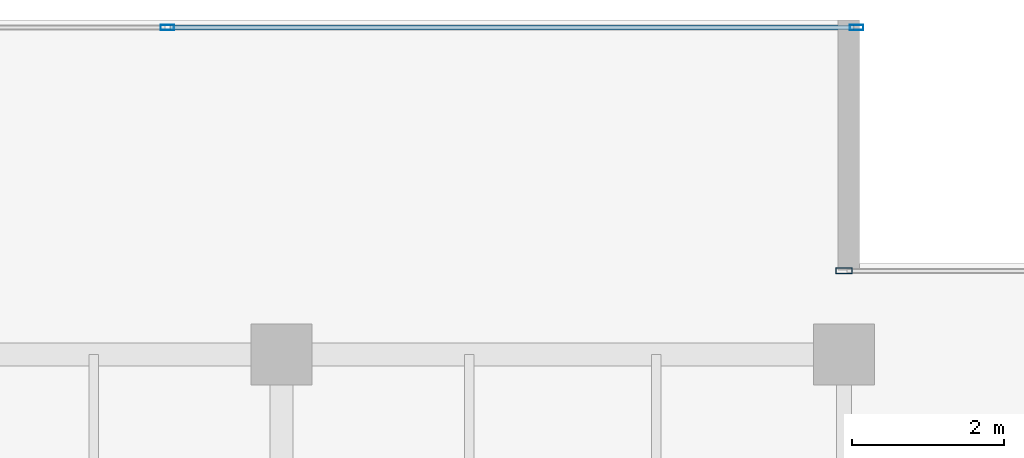
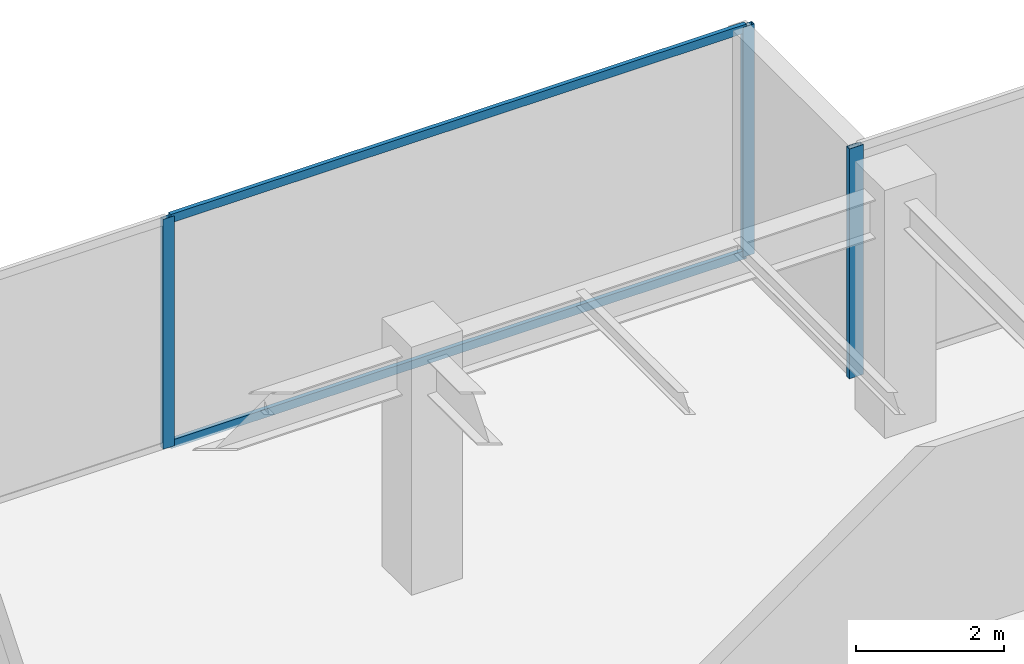
# One storey, part 21 of 33: 5 members, 2 elements without a shape of their own.
"""IFC4 building model written with IfcOpenShell, lengths in metres."""

import ifcopenshell
import ifcopenshell.guid

model = None  # the IFC model being written
_history = None  # IfcOwnerHistory: only IFC2X3 demands one
_inside = {}  # id of a spatial element -> (the spatial element, [elements in it])
_under = {}  # id of a project, library or spatial element -> (it, [spatial elements below it])
_declared = {}  # id of a project -> (the project, [libraries it declares])
_typed = {}  # id of a type object -> (the type object, [elements of that type])
_made_of = {}  # id of a material, layer set ... -> (it, [elements and type objects made of it])


def new_model(schema):
    """Start an empty IFC model of exactly this schema.

    Asked for "IFC4X3", IfcOpenShell would pick the latest addendum, in which some entities
    have other attributes; the version numbers below select the first issue.
    IFC2X3 requires an IfcOwnerHistory on every rooted entity: one is made here for all.
    """
    global model, _history
    if schema == "IFC4X3":
        model = ifcopenshell.file(schema_version=(4, 3, 0, 0))
    else:
        model = ifcopenshell.file(schema=schema)
    _inside.clear()
    _under.clear()
    _declared.clear()
    _typed.clear()
    _made_of.clear()
    _history = None
    if model.schema == "IFC2X3":
        org = make("IfcOrganization", Name="unknown")
        user = make(
            "IfcPersonAndOrganization",
            ThePerson=make("IfcPerson", FamilyName="unknown"),
            TheOrganization=org,
        )
        app = make(
            "IfcApplication",
            ApplicationDeveloper=org,
            Version="unknown",
            ApplicationFullName="unknown",
            ApplicationIdentifier="unknown",
        )
        _history = make(
            "IfcOwnerHistory",
            OwningUser=user,
            OwningApplication=app,
            ChangeAction="ADDED",
            CreationDate=0,
        )
    return model


def make(cls, **values):
    """One entity of the class cls with the attributes given. An attribute that is None is left unset."""
    return model.create_entity(
        cls, **{name: value for name, value in values.items() if value is not None}
    )


def rooted(cls, **values):
    """An entity with a GlobalId (a new one), such as an element, a storey or a relation."""
    return make(cls, GlobalId=ifcopenshell.guid.new(), OwnerHistory=_history, **values)


def si_unit(unit_type, name, prefix=None):
    """IfcSIUnit, for example si_unit("LENGTHUNIT", "METRE", prefix="MILLI")."""
    return make("IfcSIUnit", UnitType=unit_type, Prefix=prefix, Name=name)


def assignment(units):
    """IfcUnitAssignment: the units of a project."""
    return None if units is None else make("IfcUnitAssignment", Units=units)


def point(xyz):
    """IfcCartesianPoint."""
    return None if xyz is None else make("IfcCartesianPoint", Coordinates=xyz)


def direction(xyz):
    """IfcDirection."""
    return None if xyz is None else make("IfcDirection", DirectionRatios=xyz)


def frame(location, z_axis=None, x_axis=None):
    """IfcAxis2Placement3D, a coordinate frame: its origin and axes. An axis left out is left unset."""
    return make(
        "IfcAxis2Placement3D",
        Location=point(location),
        Axis=direction(z_axis),
        RefDirection=direction(x_axis),
    )


def frame_2d(location, x_axis=None):
    """IfcAxis2Placement2D, a coordinate frame in the plane: its origin and x axis."""
    return make(
        "IfcAxis2Placement2D", Location=point(location), RefDirection=direction(x_axis)
    )


def origin():
    """The frame at (0, 0, 0) with its axes left unset."""
    return frame((0.0, 0.0, 0.0))


def origin_2d():
    """The frame at (0, 0) in the plane with its x axis left unset."""
    return frame_2d((0.0, 0.0))


def place(relative_to, where):
    """IfcLocalPlacement: puts the frame where relative to a parent placement (None: the world)."""
    return make(
        "IfcLocalPlacement", PlacementRelTo=relative_to, RelativePlacement=where
    )


def context(
    kind, dimensions, precision=None, world=None, true_north=None, identifier=None
):
    """IfcGeometricRepresentationContext, for example the 3D "Model" context."""
    return make(
        "IfcGeometricRepresentationContext",
        ContextIdentifier=identifier,
        ContextType=kind,
        CoordinateSpaceDimension=dimensions,
        Precision=precision,
        WorldCoordinateSystem=world,
        TrueNorth=true_north,
    )


def subcontext(parent, identifier, kind, view, scale=None):
    """IfcGeometricRepresentationSubContext, for example "Body" below "Model"."""
    return make(
        "IfcGeometricRepresentationSubContext",
        ContextIdentifier=identifier,
        ContextType=kind,
        ParentContext=parent,
        TargetScale=scale,
        TargetView=view,
    )


def project(units=None, contexts=None):
    """IfcProject with its units and contexts."""
    return rooted(
        "IfcProject",
        Name="project",
        RepresentationContexts=contexts,
        UnitsInContext=assignment(units),
    )


def spatial(cls, under=None, at=None, **own):
    """A site, building, storey or space (cls), placed at a placement, below another one or the project."""
    s = rooted(cls, ObjectPlacement=at, **own)
    if under is not None:
        _under.setdefault(under.id(), (under, []))[1].append(s)
    return s


def profile(cls, at=None, kind="AREA", **sizes):
    """A parametric profile (cls). Its sizes go by their IFC names, for example OverallWidth=200.0."""
    return make(cls, ProfileType=kind, Position=at, **sizes)


def hollow_rectangle(**sizes):
    """IfcRectangleHollowProfileDef."""
    return profile("IfcRectangleHollowProfileDef", **sizes)


def extrude(swept, where, along, depth):
    """IfcExtrudedAreaSolid: the profile swept, set in the frame where, extruded along a direction by depth."""
    return make(
        "IfcExtrudedAreaSolid",
        SweptArea=swept,
        Position=where,
        ExtrudedDirection=direction(along),
        Depth=depth,
    )


def shape(context_of_items, identifier, shape_type, items):
    """IfcShapeRepresentation: the items that make up one representation, for example the "Body"."""
    return make(
        "IfcShapeRepresentation",
        ContextOfItems=context_of_items,
        RepresentationIdentifier=identifier,
        RepresentationType=shape_type,
        Items=items,
    )


def source(mapping_origin, context_of_items, identifier, shape_type, items):
    """IfcRepresentationMap: a shape defined once, which mapped items show again and again."""
    return make(
        "IfcRepresentationMap",
        MappingOrigin=mapping_origin,
        MappedRepresentation=shape(context_of_items, identifier, shape_type, items),
    )


def transform(
    local_origin,
    x_axis=None,
    y_axis=None,
    z_axis=None,
    scale=None,
    scale2=None,
    scale3=None,
    uniform=True,
):
    """IfcCartesianTransformationOperator3D, or its non-uniform kind. x_axis, y_axis, z_axis: its Axis1, 2, 3."""
    if uniform:
        return make(
            "IfcCartesianTransformationOperator3D",
            Axis1=direction(x_axis),
            Axis2=direction(y_axis),
            LocalOrigin=point(local_origin),
            Scale=scale,
            Axis3=direction(z_axis),
        )
    return make(
        "IfcCartesianTransformationOperator3DnonUniform",
        Axis1=direction(x_axis),
        Axis2=direction(y_axis),
        LocalOrigin=point(local_origin),
        Scale=scale,
        Axis3=direction(z_axis),
        Scale2=scale2,
        Scale3=scale3,
    )


def mapped(mapping_source, mapping_target):
    """IfcMappedItem: shows the shape of a source again, moved by a transform."""
    return make(
        "IfcMappedItem", MappingSource=mapping_source, MappingTarget=mapping_target
    )


def material(Name=None, Category=None):
    """IfcMaterial."""
    return make("IfcMaterial", Name=Name, Category=Category)


def layer(
    of_material, thickness, ventilated=None, Name=None, Category=None, Priority=None
):
    """IfcMaterialLayer: one layer of a wall or slab, of a material (None: an air gap)."""
    return make(
        "IfcMaterialLayer",
        Material=of_material,
        LayerThickness=thickness,
        IsVentilated=ventilated,
        Name=Name,
        Category=Category,
        Priority=Priority,
    )


def layer_set(layers, Name=None):
    """IfcMaterialLayerSet."""
    return make("IfcMaterialLayerSet", MaterialLayers=layers, LayerSetName=Name)


def material_profile(
    of_material, cross_section, Name=None, Category=None, Priority=None
):
    """IfcMaterialProfile: a cross section and its material."""
    return make(
        "IfcMaterialProfile",
        Name=Name,
        Material=of_material,
        Profile=cross_section,
        Priority=Priority,
        Category=Category,
    )


def profile_set(profiles, Name=None, composite=None):
    """IfcMaterialProfileSet."""
    return make(
        "IfcMaterialProfileSet",
        Name=Name,
        MaterialProfiles=profiles,
        CompositeProfile=composite,
    )


def made_of(thing, what):
    """Note that an element or type object is made of a material, layer set ...; save() writes the relation."""
    if what is not None:
        _made_of.setdefault(what.id(), (what, []))[1].append(thing)
    return thing


def type_object(cls, material=None, **own):
    """A type object (cls), such as IfcWallType, which elements share."""
    return made_of(rooted(cls, **own), material)


def type_shapes(of_type, sources):
    """Give a type object the sources (RepresentationMaps) that its elements show as mapped items."""
    of_type.RepresentationMaps = sources


def element(
    cls,
    number,
    at=None,
    inside=None,
    cuts=None,
    type_object=None,
    material=None,
    context=None,
    identifier="Body",
    shape_type=None,
    held_by="IfcProductDefinitionShape",
    body=None,
    shapes=None,
    **own,
):
    """One element of the class cls, such as IfcWall. Its Tag is "e" and its number.

    at: its placement. inside: the storey or other place that contains it. cuts: it is an
    opening in that element (IfcRelVoidsElement). A single representation is given by context,
    identifier, shape_type and body (its items); several are given by shapes. held_by: the class
    of the entity that holds the representations. save() writes the other relations.
    """
    e = rooted(cls, Tag="e%d" % number, ObjectPlacement=at, **own)
    if body is not None:
        shapes = [shape(context, identifier, shape_type, body)]
    if shapes is not None:
        e.Representation = make(held_by, Representations=shapes)
    if inside is not None:
        _inside.setdefault(inside.id(), (inside, []))[1].append(e)
    if cuts is not None:
        rooted(
            "IfcRelVoidsElement", RelatingBuildingElement=cuts, RelatedOpeningElement=e
        )
    if type_object is not None:
        _typed.setdefault(type_object.id(), (type_object, []))[1].append(e)
    return made_of(e, material)


def aggregate(whole, parts):
    """IfcRelAggregates: a whole, such as a stair, and the parts it consists of."""
    return rooted("IfcRelAggregates", RelatingObject=whole, RelatedObjects=parts)


def save(model, path):
    """Write the relations noted so far, then the file.

    IfcRelAggregates (storeys below a building ...), IfcRelContainedInSpatialStructure (elements
    in a storey), IfcRelDefinesByType, IfcRelAssociatesMaterial and IfcRelDeclares: one each for
    every whole, place, type object, material and project.
    """
    for whole, parts in _under.values():
        aggregate(whole, parts)
    for where, things in _inside.values():
        rooted(
            "IfcRelContainedInSpatialStructure",
            RelatedElements=things,
            RelatingStructure=where,
        )
    for kind, things in _typed.values():
        rooted("IfcRelDefinesByType", RelatedObjects=things, RelatingType=kind)
    for what, things in _made_of.values():
        rooted("IfcRelAssociatesMaterial", RelatedObjects=things, RelatingMaterial=what)
    for by, libraries in _declared.values():
        rooted("IfcRelDeclares", RelatingContext=by, RelatedDefinitions=libraries)
    model.write(path)


model = new_model("IFC4")

# Units and contexts
model_context = context("Model", 3, precision=1e-05, world=origin(), true_north=direction((0.0, 1.0)))
body_context = subcontext(model_context, "Body", "Model", "MODEL_VIEW")
ifc_project = project(units=[si_unit("LENGTHUNIT", "METRE"), si_unit("AREAUNIT", "SQUARE_METRE"), si_unit("VOLUMEUNIT", "CUBIC_METRE"), si_unit("PLANEANGLEUNIT", "RADIAN"), si_unit("MASSUNIT", "GRAM", prefix="KILO")], contexts=[model_context])

# Site, building, storey
site_placement = place(None, origin())
site = spatial("IfcSite", under=ifc_project, at=site_placement, CompositionType="ELEMENT")
building_placement = place(site_placement, origin())
building = spatial("IfcBuilding", under=site, at=building_placement, Name="Haelvirn Gate Laboratories", CompositionType="ELEMENT")
storey_placement = place(building_placement, frame((0.0, 0.0, 258.800048828125)))
storey = spatial("IfcBuildingStorey", under=building, at=storey_placement, Name="L62", CompositionType="ELEMENT", Elevation=258.800048828125)

# Curtain wall, members
ifc_material_1 = material(Name="Anodised bronze unitised aluminium & triple low-E glass", Category="aluminium")
ifc_layer_1 = layer(ifc_material_1, 0.176025390625, Name="CW-SYS-4")
ifc_layer_set_1 = layer_set([ifc_layer_1], Name="Anodised bronze unitised aluminium & triple low-E glass")
curtain_wall_type_1 = type_object("IfcCurtainWallType", Name="CW-SYS-4", PredefinedType="NOTDEFINED", material=ifc_layer_set_1)
curtain_wall_1_placement = place(storey_placement, origin())
curtain_wall_1 = element("IfcCurtainWall", 1, at=curtain_wall_1_placement, inside=storey, type_object=curtain_wall_type_1, Name="L62 Unitised Curtain Wall CW-L62-P0-E10-1", PredefinedType="NOTDEFINED")
ifc_material_2 = material(Name="Extruded aluminium 6063-T6 (anodised bronze)", Category="aluminium")
ifc_material_profile_1 = material_profile(ifc_material_2, hollow_rectangle(XDim=0.06494140625, YDim=0.139892578125, WallThickness=0.00390625, at=origin_2d()), Name="CWT-140x65x4")
ifc_profile_set_1 = profile_set([ifc_material_profile_1], Name="Extruded aluminium 6063-T6 (anodised bronze)")
member_type_1 = type_object("IfcMemberType", Name="CWT-T140", PredefinedType="USERDEFINED", material=ifc_profile_set_1)
shared_shape_1 = source(origin(), body_context, "Body", "SweptSolid", [
    extrude(hollow_rectangle(XDim=0.06494140625, YDim=0.139892578125, WallThickness=0.00390625, at=origin_2d()), origin(), (0.0, 0.0, 1.0), 8.9951171875),
])
type_shapes(member_type_1, [shared_shape_1])
member_1_placement = place(storey_placement, frame((58.534912109375, 45.89990234375, 0.032470703125), z_axis=(1.0, 0.0, 0.0), x_axis=(0.0, 1.0, 0.0)))
member_1 = element("IfcMember", 2, at=member_1_placement, type_object=member_type_1, Name="CW4 transom 2.1", ObjectType="TRANSOM", PredefinedType="USERDEFINED", context=body_context, shape_type="MappedRepresentation", body=[
    mapped(shared_shape_1, transform((0.0, 0.0, 0.0), scale=1.0)),
])
member_2_placement = place(storey_placement, frame((58.534912109375, 45.89990234375, 3.767333984375), z_axis=(1.0, 0.0, 0.0), x_axis=(0.0, 1.0, 0.0)))
member_2 = element("IfcMember", 3, at=member_2_placement, type_object=member_type_1, Name="CW4 transom 2.2", ObjectType="TRANSOM", PredefinedType="USERDEFINED", context=body_context, shape_type="MappedRepresentation", body=[
    mapped(shared_shape_1, transform((0.0, 0.0, 0.0), scale=1.0)),
])
ifc_material_profile_2 = material_profile(ifc_material_2, hollow_rectangle(XDim=0.070068359375, YDim=0.179931640625, WallThickness=0.0048828125, at=origin_2d()), Name="CWM-180x70x5")
ifc_profile_set_2 = profile_set([ifc_material_profile_2], Name="Extruded aluminium 6063-T6 (anodised bronze)")
member_type_2 = type_object("IfcMemberType", Name="CWM-T180", PredefinedType="MULLION", material=ifc_profile_set_2)
shared_shape_2 = source(origin(), body_context, "Body", "SweptSolid", [
    extrude(hollow_rectangle(XDim=0.070068359375, YDim=0.179931640625, WallThickness=0.0048828125, at=origin_2d()), origin(), (0.0, 0.0, 1.0), 3.800048828125),
])
type_shapes(member_type_2, [shared_shape_2])
member_3_placement = place(storey_placement, frame((58.5, 45.89990234375, 0.0), z_axis=(0.0, 0.0, 1.0), x_axis=(0.0, 1.0, 0.0)))
member_3 = element("IfcMember", 4, at=member_3_placement, type_object=member_type_2, Name="CW4 mullion 2", PredefinedType="MULLION", context=body_context, shape_type="MappedRepresentation", body=[
    mapped(shared_shape_2, transform((0.0, 0.0, 0.0), scale=1.0)),
])
member_4_placement = place(storey_placement, frame((67.56494140625, 45.89990234375, 0.0), z_axis=(0.0, 0.0, 1.0), x_axis=(0.0, 1.0, 0.0)))
member_4 = element("IfcMember", 5, at=member_4_placement, type_object=member_type_2, Name="CW4 mullion 3", PredefinedType="MULLION", context=body_context, shape_type="MappedRepresentation", body=[
    mapped(shared_shape_2, transform((0.0, 0.0, 0.0), scale=1.0)),
])
aggregate(curtain_wall_1, [member_3, member_4, member_1, member_2])

# Curtain wall, member
ifc_layer_2 = layer(ifc_material_1, 0.181884765625, Name="CW-SYS-5")
ifc_layer_set_2 = layer_set([ifc_layer_2], Name="Anodised bronze unitised aluminium & triple low-E glass")
curtain_wall_type_2 = type_object("IfcCurtainWallType", Name="CW-SYS-5", PredefinedType="NOTDEFINED", material=ifc_layer_set_2)
curtain_wall_2_placement = place(storey_placement, origin())
curtain_wall_2 = element("IfcCurtainWall", 6, at=curtain_wall_2_placement, inside=storey, type_object=curtain_wall_type_2, Name="L62 Unitised Curtain Wall CW-L62-P0-E08-1", PredefinedType="NOTDEFINED")
ifc_material_profile_3 = material_profile(ifc_material_2, hollow_rectangle(XDim=0.080078125, YDim=0.219970703125, WallThickness=0.006103515625, at=origin_2d()), Name="CWM-220x80x6")
ifc_profile_set_3 = profile_set([ifc_material_profile_3], Name="Extruded aluminium 6063-T6 (anodised bronze)")
member_type_3 = type_object("IfcMemberType", Name="CWM-T220", PredefinedType="MULLION", material=ifc_profile_set_3)
shared_shape_3 = source(origin(), body_context, "Body", "SweptSolid", [
    extrude(hollow_rectangle(XDim=0.080078125, YDim=0.219970703125, WallThickness=0.006103515625, at=origin_2d()), origin(), (0.0, 0.0, 1.0), 3.800048828125),
])
type_shapes(member_type_3, [shared_shape_3])
member_5_placement = place(storey_placement, frame((67.39990234375, 42.699951171875, 0.0), z_axis=(0.0, 0.0, 1.0), x_axis=(0.0, 1.0, 0.0)))
member_5 = element("IfcMember", 7, at=member_5_placement, type_object=member_type_3, Name="CW5 mullion 1", PredefinedType="MULLION", context=body_context, shape_type="MappedRepresentation", body=[
    mapped(shared_shape_3, transform((0.0, 0.0, 0.0), scale=1.0)),
])
aggregate(curtain_wall_2, [member_5])

save(model, "model.ifc")
